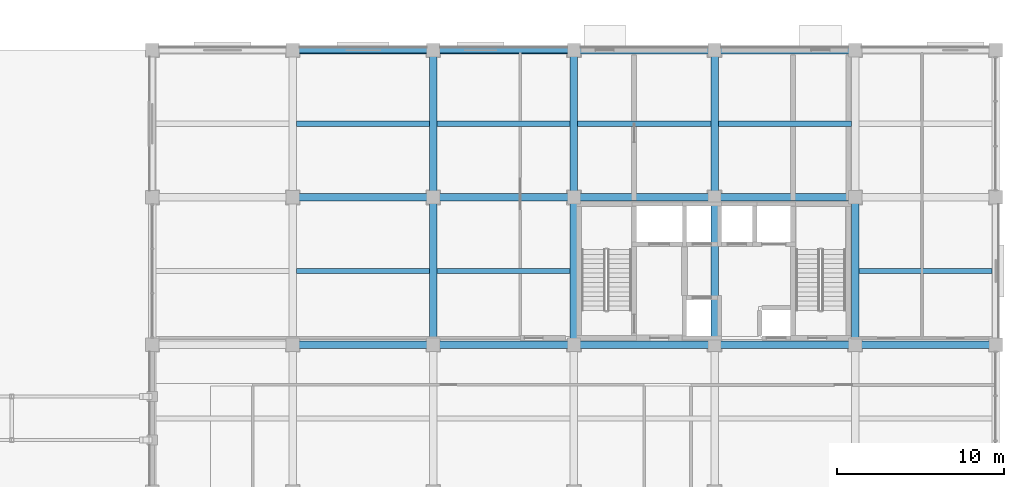
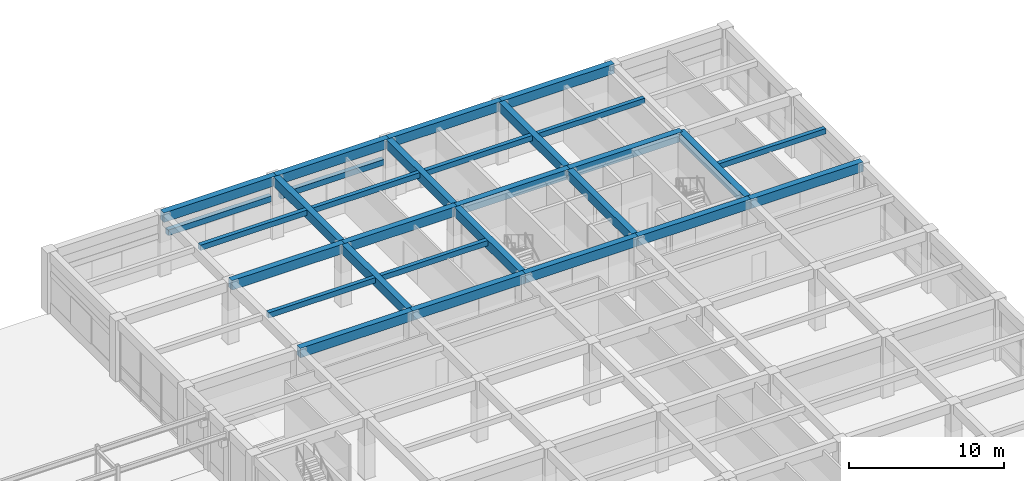
# One storey, part 24 of 58: 29 beams.
"""IFC4 building model written with IfcOpenShell, lengths in metres."""

from ifc_helpers import new_model, si_unit, direction, frame, origin, origin_2d, place, context, subcontext, project, spatial, rectangle, extrude, material, material_profile, profile_set, type_object, element, save


model = new_model("IFC4")

# Units and contexts
model_context = context("Model", 3, precision=1e-05, world=origin(), true_north=direction((0.0, 1.0)))
body_context = subcontext(model_context, "Body", "Model", "MODEL_VIEW")
ifc_project = project(units=[si_unit("LENGTHUNIT", "METRE"), si_unit("AREAUNIT", "SQUARE_METRE"), si_unit("VOLUMEUNIT", "CUBIC_METRE"), si_unit("PLANEANGLEUNIT", "RADIAN"), si_unit("MASSUNIT", "GRAM", prefix="KILO")], contexts=[model_context])

# Site, building, storey
site_placement = place(None, origin())
site = spatial("IfcSite", under=ifc_project, at=site_placement, CompositionType="ELEMENT")
building_placement = place(site_placement, origin())
building = spatial("IfcBuilding", under=site, at=building_placement, Name="Kemercrest Conservatory and Botanical Centre", CompositionType="ELEMENT")
storey_placement = place(building_placement, origin())
storey = spatial("IfcBuildingStorey", under=building, at=storey_placement, Name="L00", CompositionType="ELEMENT", Elevation=0.0)

# Beams
ifc_material_1 = material(Name="Concrete C40/50", Category="concrete")
ifc_material_profile_1 = material_profile(ifc_material_1, rectangle(XDim=0.449951171875, YDim=0.75, at=origin_2d()), Name="RC 450x750")
ifc_profile_set_1 = profile_set([ifc_material_profile_1], Name="Concrete C40/50")
beam_type_1 = type_object("IfcBeamType", Name="BM-RC75", PredefinedType="BEAM", material=ifc_profile_set_1)
beam_1_placement = place(storey_placement, frame((134.0, 104.800048828125, 4.425048828125), z_axis=(1.0, 0.0, 0.0), x_axis=(0.0, 1.0, 0.0)))
element("IfcBeam", 1, at=beam_1_placement, inside=storey, type_object=beam_type_1, Name="V4-L01 beam BM-RC75 M/16-17", PredefinedType="BEAM", context=body_context, shape_type="SweptSolid", body=[
    extrude(rectangle(XDim=0.449951171875, YDim=0.75, at=origin_2d()), origin(), (0.0, 0.0, 1.0), 8.39990234375),
])
beam_2_placement = place(storey_placement, frame((142.39990234375, 104.800048828125, 4.425048828125), z_axis=(1.0, 0.0, 0.0), x_axis=(0.0, 1.0, 0.0)))
element("IfcBeam", 2, at=beam_2_placement, inside=storey, type_object=beam_type_1, Name="V4-L01 beam BM-RC75 M/17-18", PredefinedType="BEAM", context=body_context, shape_type="SweptSolid", body=[
    extrude(rectangle(XDim=0.449951171875, YDim=0.75, at=origin_2d()), origin(), (0.0, 0.0, 1.0), 8.400146484375),
])
beam_3_placement = place(storey_placement, frame((150.800048828125, 104.800048828125, 4.425048828125), z_axis=(1.0, 0.0, 0.0), x_axis=(0.0, 1.0, 0.0)))
element("IfcBeam", 3, at=beam_3_placement, inside=storey, type_object=beam_type_1, Name="V4-L01 beam BM-RC75 M/18-19", PredefinedType="BEAM", context=body_context, shape_type="SweptSolid", body=[
    extrude(rectangle(XDim=0.449951171875, YDim=0.75, at=origin_2d()), origin(), (0.0, 0.0, 1.0), 8.39990234375),
])
beam_4_placement = place(storey_placement, frame((159.199951171875, 104.800048828125, 4.425048828125), z_axis=(1.0, 0.0, 0.0), x_axis=(0.0, 1.0, 0.0)))
element("IfcBeam", 4, at=beam_4_placement, inside=storey, type_object=beam_type_1, Name="V4-L01 beam BM-RC75 M/19-20", PredefinedType="BEAM", context=body_context, shape_type="SweptSolid", body=[
    extrude(rectangle(XDim=0.449951171875, YDim=0.75, at=origin_2d()), origin(), (0.0, 0.0, 1.0), 8.400146484375),
])
for number, where, z_axis, x_axis, name in (
    (5, (167.60009765625, 104.800048828125, 4.425048828125), (1.0, 0.0, 0.0), (0.0, 1.0, 0.0), "V4-L01 beam BM-RC75 M/20-21"),
    (6, (134.0, 113.60009765625, 4.425048828125), (1.0, 0.0, 0.0), (0.0, 1.0, 0.0), "V4-L01 beam BM-RC75 N/16-17"),
):
    element("IfcBeam", number, at=place(storey_placement, frame(where, z_axis=z_axis, x_axis=x_axis)), inside=storey, type_object=beam_type_1, Name=name, PredefinedType="BEAM", context=body_context, shape_type="SweptSolid", body=[
        extrude(rectangle(XDim=0.449951171875, YDim=0.75, at=origin_2d()), origin(), (0.0, 0.0, 1.0), 8.39990234375),
    ])
beam_5_placement = place(storey_placement, frame((142.39990234375, 113.60009765625, 4.425048828125), z_axis=(1.0, 0.0, 0.0), x_axis=(0.0, 1.0, 0.0)))
element("IfcBeam", 7, at=beam_5_placement, inside=storey, type_object=beam_type_1, Name="V4-L01 beam BM-RC75 N/17-18", PredefinedType="BEAM", context=body_context, shape_type="SweptSolid", body=[
    extrude(rectangle(XDim=0.449951171875, YDim=0.75, at=origin_2d()), origin(), (0.0, 0.0, 1.0), 8.400146484375),
])
beam_6_placement = place(storey_placement, frame((150.800048828125, 113.60009765625, 4.425048828125), z_axis=(1.0, 0.0, 0.0), x_axis=(0.0, 1.0, 0.0)))
element("IfcBeam", 8, at=beam_6_placement, inside=storey, type_object=beam_type_1, Name="V4-L01 beam BM-RC75 N/18-19", PredefinedType="BEAM", context=body_context, shape_type="SweptSolid", body=[
    extrude(rectangle(XDim=0.449951171875, YDim=0.75, at=origin_2d()), origin(), (0.0, 0.0, 1.0), 8.39990234375),
])
beam_7_placement = place(storey_placement, frame((159.199951171875, 113.60009765625, 4.425048828125), z_axis=(1.0, 0.0, 0.0), x_axis=(0.0, 1.0, 0.0)))
element("IfcBeam", 9, at=beam_7_placement, inside=storey, type_object=beam_type_1, Name="V4-L01 beam BM-RC75 N/19-20", PredefinedType="BEAM", context=body_context, shape_type="SweptSolid", body=[
    extrude(rectangle(XDim=0.449951171875, YDim=0.75, at=origin_2d()), origin(), (0.0, 0.0, 1.0), 8.400146484375),
])
beam_8_placement = place(storey_placement, frame((142.39990234375, 104.800048828125, 4.425048828125), z_axis=(0.0, 1.0, 0.0), x_axis=(-1.0, 0.0, 0.0)))
element("IfcBeam", 10, at=beam_8_placement, inside=storey, type_object=beam_type_1, Name="V4-L01 beam BM-RC75 17/M-N", PredefinedType="BEAM", context=body_context, shape_type="SweptSolid", body=[
    extrude(rectangle(XDim=0.449951171875, YDim=0.75, at=origin_2d()), origin(), (0.0, 0.0, 1.0), 8.800048828125),
])
beam_9_placement = place(storey_placement, frame((142.39990234375, 113.60009765625, 4.425048828125), z_axis=(0.0, 1.0, 0.0), x_axis=(-1.0, 0.0, 0.0)))
element("IfcBeam", 11, at=beam_9_placement, inside=storey, type_object=beam_type_1, Name="V4-L01 beam BM-RC75 17/N-P", PredefinedType="BEAM", context=body_context, shape_type="SweptSolid", body=[
    extrude(rectangle(XDim=0.449951171875, YDim=0.75, at=origin_2d()), origin(), (0.0, 0.0, 1.0), 8.7998046875),
])
beam_10_placement = place(storey_placement, frame((150.800048828125, 104.800048828125, 4.425048828125), z_axis=(0.0, 1.0, 0.0), x_axis=(-1.0, 0.0, 0.0)))
element("IfcBeam", 12, at=beam_10_placement, inside=storey, type_object=beam_type_1, Name="V4-L01 beam BM-RC75 18/M-N", PredefinedType="BEAM", context=body_context, shape_type="SweptSolid", body=[
    extrude(rectangle(XDim=0.449951171875, YDim=0.75, at=origin_2d()), origin(), (0.0, 0.0, 1.0), 8.800048828125),
])
beam_11_placement = place(storey_placement, frame((150.800048828125, 113.60009765625, 4.425048828125), z_axis=(0.0, 1.0, 0.0), x_axis=(-1.0, 0.0, 0.0)))
element("IfcBeam", 13, at=beam_11_placement, inside=storey, type_object=beam_type_1, Name="V4-L01 beam BM-RC75 18/N-P", PredefinedType="BEAM", context=body_context, shape_type="SweptSolid", body=[
    extrude(rectangle(XDim=0.449951171875, YDim=0.75, at=origin_2d()), origin(), (0.0, 0.0, 1.0), 8.7998046875),
])
beam_12_placement = place(storey_placement, frame((159.199951171875, 104.800048828125, 4.425048828125), z_axis=(0.0, 1.0, 0.0), x_axis=(-1.0, 0.0, 0.0)))
element("IfcBeam", 14, at=beam_12_placement, inside=storey, type_object=beam_type_1, Name="V4-L01 beam BM-RC75 19/M-N", PredefinedType="BEAM", context=body_context, shape_type="SweptSolid", body=[
    extrude(rectangle(XDim=0.449951171875, YDim=0.75, at=origin_2d()), origin(), (0.0, 0.0, 1.0), 8.800048828125),
])
beam_13_placement = place(storey_placement, frame((159.199951171875, 113.60009765625, 4.425048828125), z_axis=(0.0, 1.0, 0.0), x_axis=(-1.0, 0.0, 0.0)))
element("IfcBeam", 15, at=beam_13_placement, inside=storey, type_object=beam_type_1, Name="V4-L01 beam BM-RC75 19/N-P", PredefinedType="BEAM", context=body_context, shape_type="SweptSolid", body=[
    extrude(rectangle(XDim=0.449951171875, YDim=0.75, at=origin_2d()), origin(), (0.0, 0.0, 1.0), 8.7998046875),
])
beam_14_placement = place(storey_placement, frame((167.60009765625, 104.800048828125, 4.425048828125), z_axis=(0.0, 1.0, 0.0), x_axis=(-1.0, 0.0, 0.0)))
element("IfcBeam", 16, at=beam_14_placement, inside=storey, type_object=beam_type_1, Name="V4-L01 beam BM-RC75 20/M-N", PredefinedType="BEAM", context=body_context, shape_type="SweptSolid", body=[
    extrude(rectangle(XDim=0.449951171875, YDim=0.75, at=origin_2d()), origin(), (0.0, 0.0, 1.0), 8.800048828125),
])
ifc_material_profile_2 = material_profile(ifc_material_1, rectangle(XDim=0.300048828125, YDim=0.419921875, at=origin_2d()), Name="RC 300x420")
ifc_profile_set_2 = profile_set([ifc_material_profile_2], Name="Concrete C40/50")
beam_type_2 = type_object("IfcBeamType", Name="JS-RC42", PredefinedType="JOIST", material=ifc_profile_set_2)
for number, where, z_axis, x_axis, name in (
    (17, (134.22509765625, 109.199951171875, 4.590087890625), (1.0, 0.0, 0.0), (0.0, 1.0, 0.0), "V4-L01 secondary joist JS-RC42"),
    (18, (142.625, 109.199951171875, 4.590087890625), (1.0, 0.0, 0.0), (0.0, 1.0, 0.0), "V4-L01 secondary joist JS-RC42"),
    (19, (167.824951171875, 109.199951171875, 4.590087890625), (1.0, 0.0, 0.0), (0.0, 1.0, 0.0), "V4-L01 secondary joist JS-RC42"),
    (20, (134.22509765625, 118.0, 4.590087890625), (1.0, 0.0, 0.0), (0.0, 1.0, 0.0), "V4-L01 secondary joist JS-RC42"),
    (21, (142.625, 118.0, 4.590087890625), (1.0, 0.0, 0.0), (0.0, 1.0, 0.0), "V4-L01 secondary joist JS-RC42"),
):
    element("IfcBeam", number, at=place(storey_placement, frame(where, z_axis=z_axis, x_axis=x_axis)), inside=storey, type_object=beam_type_2, Name=name, PredefinedType="JOIST", context=body_context, shape_type="SweptSolid", body=[
        extrude(rectangle(XDim=0.300048828125, YDim=0.419921875, at=origin_2d()), origin(), (0.0, 0.0, 1.0), 7.949951171875),
    ])
beam_15_placement = place(storey_placement, frame((151.02490234375, 118.0, 4.590087890625), z_axis=(1.0, 0.0, 0.0), x_axis=(0.0, 1.0, 0.0)))
element("IfcBeam", 22, at=beam_15_placement, inside=storey, type_object=beam_type_2, Name="V4-L01 secondary joist JS-RC42", PredefinedType="JOIST", context=body_context, shape_type="SweptSolid", body=[
    extrude(rectangle(XDim=0.300048828125, YDim=0.419921875, at=origin_2d()), origin(), (0.0, 0.0, 1.0), 7.9501953125),
])
beam_16_placement = place(storey_placement, frame((159.425048828125, 118.0, 4.590087890625), z_axis=(1.0, 0.0, 0.0), x_axis=(0.0, 1.0, 0.0)))
element("IfcBeam", 23, at=beam_16_placement, inside=storey, type_object=beam_type_2, Name="V4-L01 secondary joist JS-RC42", PredefinedType="JOIST", context=body_context, shape_type="SweptSolid", body=[
    extrude(rectangle(XDim=0.300048828125, YDim=0.419921875, at=origin_2d()), origin(), (0.0, 0.0, 1.0), 7.949951171875),
])
ifc_material_2 = material(Name="Precast concrete C40/50", Category="concrete")
ifc_material_profile_3 = material_profile(ifc_material_2, rectangle(XDim=0.35009765625, YDim=0.449951171875, at=origin_2d()), Name="RC 350x450")
ifc_profile_set_3 = profile_set([ifc_material_profile_3], Name="Precast concrete C40/50")
beam_type_3 = type_object("IfcBeamType", Name="LN-RC45", PredefinedType="LINTEL", material=ifc_profile_set_3)
for number, where, z_axis, x_axis, name in (
    (24, (150.449951171875, 122.39990234375, 3.02490234375), (-1.0, 0.0, 0.0), (0.0, -1.0, 0.0), "Precast arched window lintel (WIN:L00:EXT-167)"),
    (25, (142.050048828125, 122.39990234375, 3.074951171875), (-1.0, 0.0, 0.0), (0.0, -1.0, 0.0), "Precast arched window lintel (WIN:L00:EXT-168)"),
):
    element("IfcBeam", number, at=place(storey_placement, frame(where, z_axis=z_axis, x_axis=x_axis)), inside=storey, type_object=beam_type_3, Name=name, PredefinedType="LINTEL", context=body_context, shape_type="SweptSolid", body=[
        extrude(rectangle(XDim=0.35009765625, YDim=0.449951171875, at=origin_2d()), origin(), (0.0, 0.0, 1.0), 7.699951171875),
    ])
ifc_material_profile_4 = material_profile(ifc_material_1, rectangle(XDim=0.449951171875, YDim=0.75, at=origin_2d()), Name="RC 450x750")
ifc_profile_set_4 = profile_set([ifc_material_profile_4], Name="Concrete C40/50")
beam_type_4 = type_object("IfcBeamType", Name="SP-RC75", PredefinedType="SPANDREL", material=ifc_profile_set_4)
beam_17_placement = place(storey_placement, frame((134.0, 122.39990234375, 4.425048828125), z_axis=(1.0, 0.0, 0.0), x_axis=(0.0, 1.0, 0.0)))
element("IfcBeam", 26, at=beam_17_placement, inside=storey, type_object=beam_type_4, Name="V4-L01 beam SP-RC75 P/16-17", PredefinedType="SPANDREL", context=body_context, shape_type="SweptSolid", body=[
    extrude(rectangle(XDim=0.449951171875, YDim=0.75, at=origin_2d()), origin(), (0.0, 0.0, 1.0), 8.39990234375),
])
beam_18_placement = place(storey_placement, frame((142.39990234375, 122.39990234375, 4.425048828125), z_axis=(1.0, 0.0, 0.0), x_axis=(0.0, 1.0, 0.0)))
element("IfcBeam", 27, at=beam_18_placement, inside=storey, type_object=beam_type_4, Name="V4-L01 beam SP-RC75 P/17-18", PredefinedType="SPANDREL", context=body_context, shape_type="SweptSolid", body=[
    extrude(rectangle(XDim=0.449951171875, YDim=0.75, at=origin_2d()), origin(), (0.0, 0.0, 1.0), 8.400146484375),
])
beam_19_placement = place(storey_placement, frame((150.800048828125, 122.39990234375, 4.425048828125), z_axis=(1.0, 0.0, 0.0), x_axis=(0.0, 1.0, 0.0)))
element("IfcBeam", 28, at=beam_19_placement, inside=storey, type_object=beam_type_4, Name="V4-L01 beam SP-RC75 P/18-19", PredefinedType="SPANDREL", context=body_context, shape_type="SweptSolid", body=[
    extrude(rectangle(XDim=0.449951171875, YDim=0.75, at=origin_2d()), origin(), (0.0, 0.0, 1.0), 8.39990234375),
])
beam_20_placement = place(storey_placement, frame((159.199951171875, 122.39990234375, 4.425048828125), z_axis=(1.0, 0.0, 0.0), x_axis=(0.0, 1.0, 0.0)))
element("IfcBeam", 29, at=beam_20_placement, inside=storey, type_object=beam_type_4, Name="V4-L01 beam SP-RC75 P/19-20", PredefinedType="SPANDREL", context=body_context, shape_type="SweptSolid", body=[
    extrude(rectangle(XDim=0.449951171875, YDim=0.75, at=origin_2d()), origin(), (0.0, 0.0, 1.0), 8.400146484375),
])

save(model, "model.ifc")
